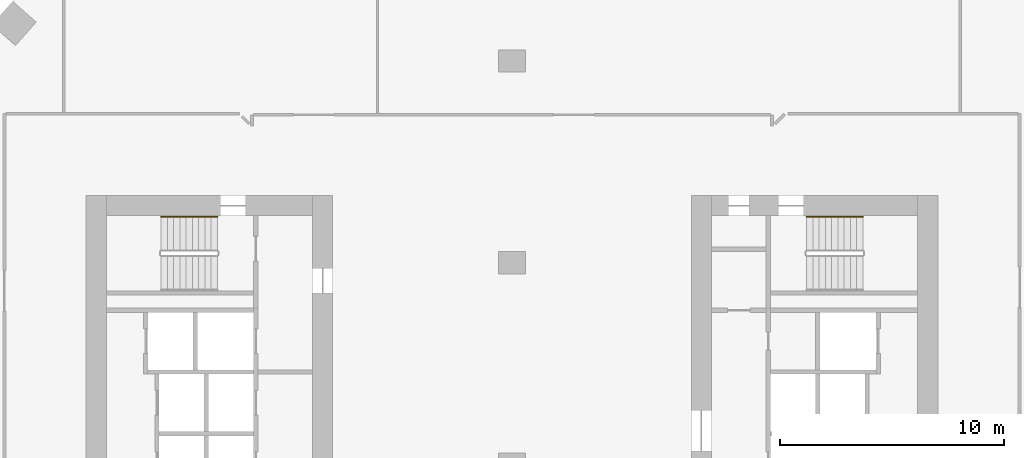
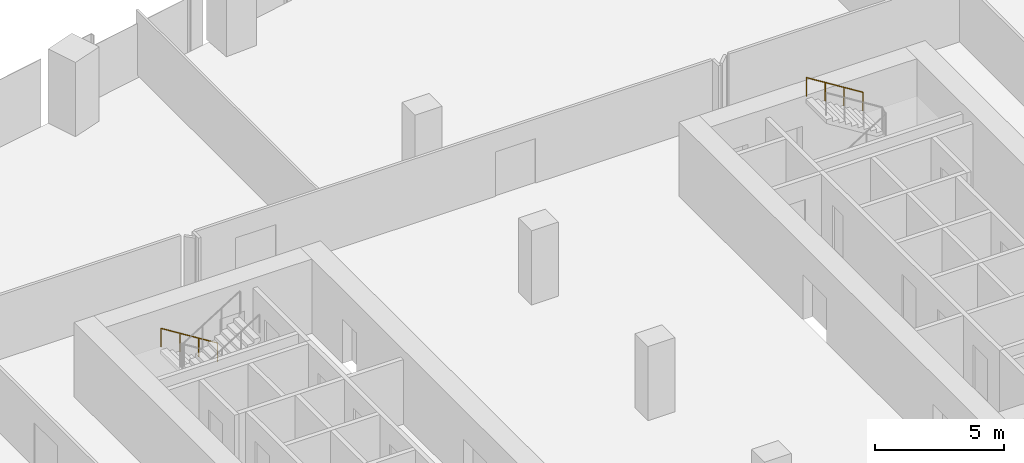
# One storey, part 38 of 38: 2 railings.
"""IFC4 building model written with IfcOpenShell, lengths in metres."""

import ifcopenshell
import ifcopenshell.guid

model = None  # the IFC model being written
_history = None  # IfcOwnerHistory: only IFC2X3 demands one
_inside = {}  # id of a spatial element -> (the spatial element, [elements in it])
_under = {}  # id of a project, library or spatial element -> (it, [spatial elements below it])
_declared = {}  # id of a project -> (the project, [libraries it declares])
_typed = {}  # id of a type object -> (the type object, [elements of that type])
_made_of = {}  # id of a material, layer set ... -> (it, [elements and type objects made of it])


def new_model(schema):
    """Start an empty IFC model of exactly this schema.

    Asked for "IFC4X3", IfcOpenShell would pick the latest addendum, in which some entities
    have other attributes; the version numbers below select the first issue.
    IFC2X3 requires an IfcOwnerHistory on every rooted entity: one is made here for all.
    """
    global model, _history
    if schema == "IFC4X3":
        model = ifcopenshell.file(schema_version=(4, 3, 0, 0))
    else:
        model = ifcopenshell.file(schema=schema)
    _inside.clear()
    _under.clear()
    _declared.clear()
    _typed.clear()
    _made_of.clear()
    _history = None
    if model.schema == "IFC2X3":
        org = make("IfcOrganization", Name="unknown")
        user = make(
            "IfcPersonAndOrganization",
            ThePerson=make("IfcPerson", FamilyName="unknown"),
            TheOrganization=org,
        )
        app = make(
            "IfcApplication",
            ApplicationDeveloper=org,
            Version="unknown",
            ApplicationFullName="unknown",
            ApplicationIdentifier="unknown",
        )
        _history = make(
            "IfcOwnerHistory",
            OwningUser=user,
            OwningApplication=app,
            ChangeAction="ADDED",
            CreationDate=0,
        )
    return model


def make(cls, **values):
    """One entity of the class cls with the attributes given. An attribute that is None is left unset."""
    return model.create_entity(
        cls, **{name: value for name, value in values.items() if value is not None}
    )


def rooted(cls, **values):
    """An entity with a GlobalId (a new one), such as an element, a storey or a relation."""
    return make(cls, GlobalId=ifcopenshell.guid.new(), OwnerHistory=_history, **values)


def si_unit(unit_type, name, prefix=None):
    """IfcSIUnit, for example si_unit("LENGTHUNIT", "METRE", prefix="MILLI")."""
    return make("IfcSIUnit", UnitType=unit_type, Prefix=prefix, Name=name)


def assignment(units):
    """IfcUnitAssignment: the units of a project."""
    return None if units is None else make("IfcUnitAssignment", Units=units)


def point(xyz):
    """IfcCartesianPoint."""
    return None if xyz is None else make("IfcCartesianPoint", Coordinates=xyz)


def direction(xyz):
    """IfcDirection."""
    return None if xyz is None else make("IfcDirection", DirectionRatios=xyz)


def frame(location, z_axis=None, x_axis=None):
    """IfcAxis2Placement3D, a coordinate frame: its origin and axes. An axis left out is left unset."""
    return make(
        "IfcAxis2Placement3D",
        Location=point(location),
        Axis=direction(z_axis),
        RefDirection=direction(x_axis),
    )


def frame_2d(location, x_axis=None):
    """IfcAxis2Placement2D, a coordinate frame in the plane: its origin and x axis."""
    return make(
        "IfcAxis2Placement2D", Location=point(location), RefDirection=direction(x_axis)
    )


def origin():
    """The frame at (0, 0, 0) with its axes left unset."""
    return frame((0.0, 0.0, 0.0))


def origin_2d():
    """The frame at (0, 0) in the plane with its x axis left unset."""
    return frame_2d((0.0, 0.0))


def place(relative_to, where):
    """IfcLocalPlacement: puts the frame where relative to a parent placement (None: the world)."""
    return make(
        "IfcLocalPlacement", PlacementRelTo=relative_to, RelativePlacement=where
    )


def context(
    kind, dimensions, precision=None, world=None, true_north=None, identifier=None
):
    """IfcGeometricRepresentationContext, for example the 3D "Model" context."""
    return make(
        "IfcGeometricRepresentationContext",
        ContextIdentifier=identifier,
        ContextType=kind,
        CoordinateSpaceDimension=dimensions,
        Precision=precision,
        WorldCoordinateSystem=world,
        TrueNorth=true_north,
    )


def subcontext(parent, identifier, kind, view, scale=None):
    """IfcGeometricRepresentationSubContext, for example "Body" below "Model"."""
    return make(
        "IfcGeometricRepresentationSubContext",
        ContextIdentifier=identifier,
        ContextType=kind,
        ParentContext=parent,
        TargetScale=scale,
        TargetView=view,
    )


def project(units=None, contexts=None):
    """IfcProject with its units and contexts."""
    return rooted(
        "IfcProject",
        Name="project",
        RepresentationContexts=contexts,
        UnitsInContext=assignment(units),
    )


def spatial(cls, under=None, at=None, **own):
    """A site, building, storey or space (cls), placed at a placement, below another one or the project."""
    s = rooted(cls, ObjectPlacement=at, **own)
    if under is not None:
        _under.setdefault(under.id(), (under, []))[1].append(s)
    return s


def profile(cls, at=None, kind="AREA", **sizes):
    """A parametric profile (cls). Its sizes go by their IFC names, for example OverallWidth=200.0."""
    return make(cls, ProfileType=kind, Position=at, **sizes)


def circle(**sizes):
    """IfcCircleProfileDef."""
    return profile("IfcCircleProfileDef", **sizes)


def extrude(swept, where, along, depth):
    """IfcExtrudedAreaSolid: the profile swept, set in the frame where, extruded along a direction by depth."""
    return make(
        "IfcExtrudedAreaSolid",
        SweptArea=swept,
        Position=where,
        ExtrudedDirection=direction(along),
        Depth=depth,
    )


def shape(context_of_items, identifier, shape_type, items):
    """IfcShapeRepresentation: the items that make up one representation, for example the "Body"."""
    return make(
        "IfcShapeRepresentation",
        ContextOfItems=context_of_items,
        RepresentationIdentifier=identifier,
        RepresentationType=shape_type,
        Items=items,
    )


def material(Name=None, Category=None):
    """IfcMaterial."""
    return make("IfcMaterial", Name=Name, Category=Category)


def made_of(thing, what):
    """Note that an element or type object is made of a material, layer set ...; save() writes the relation."""
    if what is not None:
        _made_of.setdefault(what.id(), (what, []))[1].append(thing)
    return thing


def type_object(cls, material=None, **own):
    """A type object (cls), such as IfcWallType, which elements share."""
    return made_of(rooted(cls, **own), material)


def element(
    cls,
    number,
    at=None,
    inside=None,
    cuts=None,
    type_object=None,
    material=None,
    context=None,
    identifier="Body",
    shape_type=None,
    held_by="IfcProductDefinitionShape",
    body=None,
    shapes=None,
    **own,
):
    """One element of the class cls, such as IfcWall. Its Tag is "e" and its number.

    at: its placement. inside: the storey or other place that contains it. cuts: it is an
    opening in that element (IfcRelVoidsElement). A single representation is given by context,
    identifier, shape_type and body (its items); several are given by shapes. held_by: the class
    of the entity that holds the representations. save() writes the other relations.
    """
    e = rooted(cls, Tag="e%d" % number, ObjectPlacement=at, **own)
    if body is not None:
        shapes = [shape(context, identifier, shape_type, body)]
    if shapes is not None:
        e.Representation = make(held_by, Representations=shapes)
    if inside is not None:
        _inside.setdefault(inside.id(), (inside, []))[1].append(e)
    if cuts is not None:
        rooted(
            "IfcRelVoidsElement", RelatingBuildingElement=cuts, RelatedOpeningElement=e
        )
    if type_object is not None:
        _typed.setdefault(type_object.id(), (type_object, []))[1].append(e)
    return made_of(e, material)


def aggregate(whole, parts):
    """IfcRelAggregates: a whole, such as a stair, and the parts it consists of."""
    return rooted("IfcRelAggregates", RelatingObject=whole, RelatedObjects=parts)


def save(model, path):
    """Write the relations noted so far, then the file.

    IfcRelAggregates (storeys below a building ...), IfcRelContainedInSpatialStructure (elements
    in a storey), IfcRelDefinesByType, IfcRelAssociatesMaterial and IfcRelDeclares: one each for
    every whole, place, type object, material and project.
    """
    for whole, parts in _under.values():
        aggregate(whole, parts)
    for where, things in _inside.values():
        rooted(
            "IfcRelContainedInSpatialStructure",
            RelatedElements=things,
            RelatingStructure=where,
        )
    for kind, things in _typed.values():
        rooted("IfcRelDefinesByType", RelatedObjects=things, RelatingType=kind)
    for what, things in _made_of.values():
        rooted("IfcRelAssociatesMaterial", RelatedObjects=things, RelatingMaterial=what)
    for by, libraries in _declared.values():
        rooted("IfcRelDeclares", RelatingContext=by, RelatedDefinitions=libraries)
    model.write(path)


model = new_model("IFC4")

# Units and contexts
model_context = context("Model", 3, precision=1e-05, world=origin(), true_north=direction((0.0, 1.0)))
body_context = subcontext(model_context, "Body", "Model", "MODEL_VIEW")
ifc_project = project(units=[si_unit("LENGTHUNIT", "METRE"), si_unit("AREAUNIT", "SQUARE_METRE"), si_unit("VOLUMEUNIT", "CUBIC_METRE"), si_unit("PLANEANGLEUNIT", "RADIAN"), si_unit("MASSUNIT", "GRAM", prefix="KILO")], contexts=[model_context])

# Site, building, storey
site_placement = place(None, origin())
site = spatial("IfcSite", under=ifc_project, at=site_placement, CompositionType="ELEMENT")
building_placement = place(site_placement, origin())
building = spatial("IfcBuilding", under=site, at=building_placement, Name="Orlundy Tower", CompositionType="ELEMENT")
storey_placement = place(building_placement, frame((0.0, 0.0, 72.800048828125)))
storey = spatial("IfcBuildingStorey", under=building, at=storey_placement, Name="L17", CompositionType="ELEMENT", Elevation=72.800048828125)

# Railings
ifc_material = material(Name="Steel handrail", Category="steel")
railing_type = type_object("IfcRailingType", Name="Stair Handrail 900", PredefinedType="HANDRAIL", material=ifc_material)
for number, where, name in (
    (1, (-13.139892578125, 11.050048828125, 0.175048828125), "L17 ST-W1 stair handrail 1"),
    (2, (15.659912109375, 11.050048828125, 1.925048828125), "L17 ST-E2 stair handrail 2"),
):
    element("IfcRailing", number, at=place(storey_placement, frame(where)), inside=storey, type_object=railing_type, Name=name, PredefinedType="HANDRAIL", context=body_context, shape_type="SweptSolid", body=[
        extrude(circle(Radius=0.02392578125, at=origin_2d()), frame((0.0, 0.0, 0.8759765625), z_axis=(-0.848007534815, 0.0, 0.529984170421), x_axis=(0.0, -1.0, 0.0)), (0.0, 0.0, 1.0), 2.9716796875),
        extrude(circle(Radius=0.02099609375, at=origin_2d()), origin(), (0.0, 0.0, 1.0), 0.851806640625),
        extrude(circle(Radius=0.02099609375, at=origin_2d()), frame((-0.840087890625, 0.0, 0.52490234375)), (0.0, 0.0, 1.0), 0.851806640625),
        extrude(circle(Radius=0.02099609375, at=origin_2d()), frame((-1.679931640625, 0.0, 1.050048828125)), (0.0, 0.0, 1.0), 0.851806640625),
        extrude(circle(Radius=0.02099609375, at=origin_2d()), frame((-2.52001953125, 0.0, 1.574951171875)), (0.0, 0.0, 1.0), 0.851806640625),
    ])

save(model, "model.ifc")
